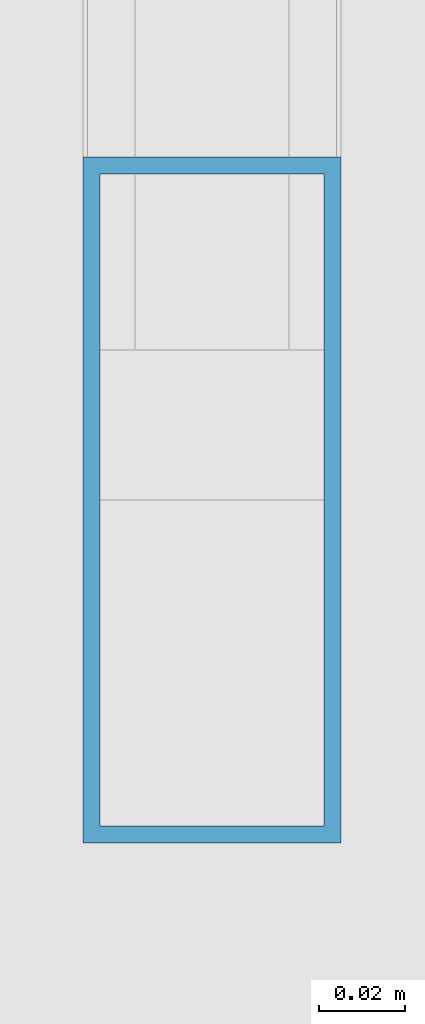
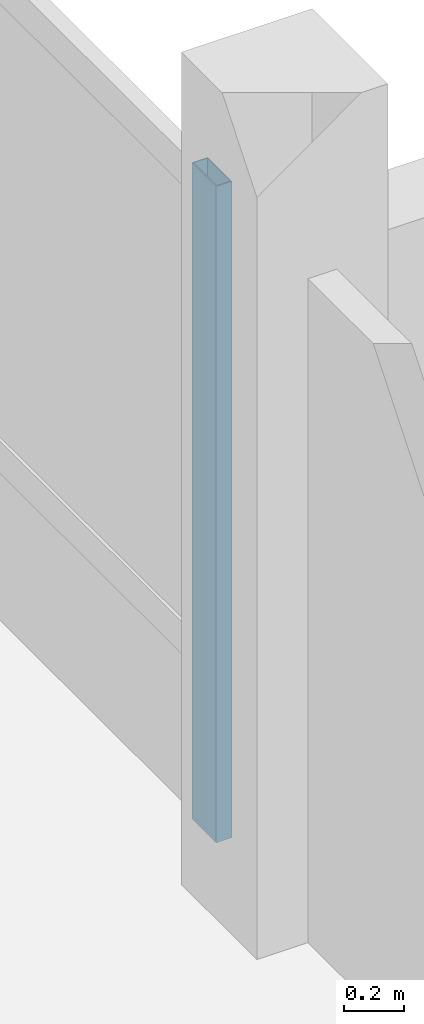
# One storey, part 2 of 18: 1 member, 1 element without a shape of its own.
"""IFC4 building model written with IfcOpenShell, lengths in metres."""

from ifc_helpers import new_model, si_unit, direction, frame, origin, origin_2d, place, context, subcontext, project, spatial, hollow_rectangle, extrude, material, material_profile, profile_set, type_object, element, aggregate, save


model = new_model("IFC4")

# Units and contexts
model_context = context("Model", 3, precision=1e-05, world=origin(), true_north=direction((0.0, 1.0)))
body_context = subcontext(model_context, "Body", "Model", "MODEL_VIEW")
ifc_project = project(units=[si_unit("LENGTHUNIT", "METRE"), si_unit("AREAUNIT", "SQUARE_METRE"), si_unit("VOLUMEUNIT", "CUBIC_METRE"), si_unit("PLANEANGLEUNIT", "RADIAN"), si_unit("MASSUNIT", "GRAM", prefix="KILO")], contexts=[model_context])

# Site, building, storey
site_placement = place(None, origin())
site = spatial("IfcSite", under=ifc_project, at=site_placement, CompositionType="ELEMENT")
building_placement = place(site_placement, origin())
building = spatial("IfcBuilding", under=site, at=building_placement, Name="Zornivar Specialist Clinic", CompositionType="ELEMENT")
storey_placement = place(building_placement, frame((0.0, 0.0, 23.39990234375)))
storey = spatial("IfcBuildingStorey", under=building, at=storey_placement, Name="L06", CompositionType="ELEMENT", Elevation=23.39990234375)

# Curtain wall, member
ifc_material_1 = material(Name="Aluminium and Low-E Glass Curtain Wall", Category="aluminium")
curtain_wall_type = type_object("IfcCurtainWallType", Name="CW-REVAK-COURT", PredefinedType="NOTDEFINED", material=ifc_material_1)
curtain_wall_placement = place(storey_placement, origin())
curtain_wall = element("IfcCurtainWall", 1, at=curtain_wall_placement, inside=storey, type_object=curtain_wall_type, Name="cw:V2:L06:08", PredefinedType="NOTDEFINED")
ifc_material_2 = material(Name="Aluminium AW-6060", Category="aluminium")
ifc_material_profile = material_profile(ifc_material_2, hollow_rectangle(XDim=0.06005859375, YDim=0.159912109375, WallThickness=0.00390625, at=origin_2d()), Name="ALU 60x160x4")
ifc_profile_set = profile_set([ifc_material_profile], Name="Aluminium AW-6060")
member_type = type_object("IfcMemberType", Name="CWM-MUL-160", PredefinedType="MULLION", material=ifc_profile_set)
member_placement = place(storey_placement, frame((14.39990234375, 14.8798828125, 0.0), z_axis=(0.0, 0.0, 1.0), x_axis=(1.0, 0.0, 0.0)))
member = element("IfcMember", 2, at=member_placement, type_object=member_type, Name="cw:V2:L06:08:mul:0", PredefinedType="MULLION", context=body_context, shape_type="SweptSolid", body=[
    extrude(hollow_rectangle(XDim=0.06005859375, YDim=0.159912109375, WallThickness=0.00390625, at=origin_2d()), origin(), (0.0, 0.0, 1.0), 2.650146484375),
])
aggregate(curtain_wall, [member])

save(model, "model.ifc")
